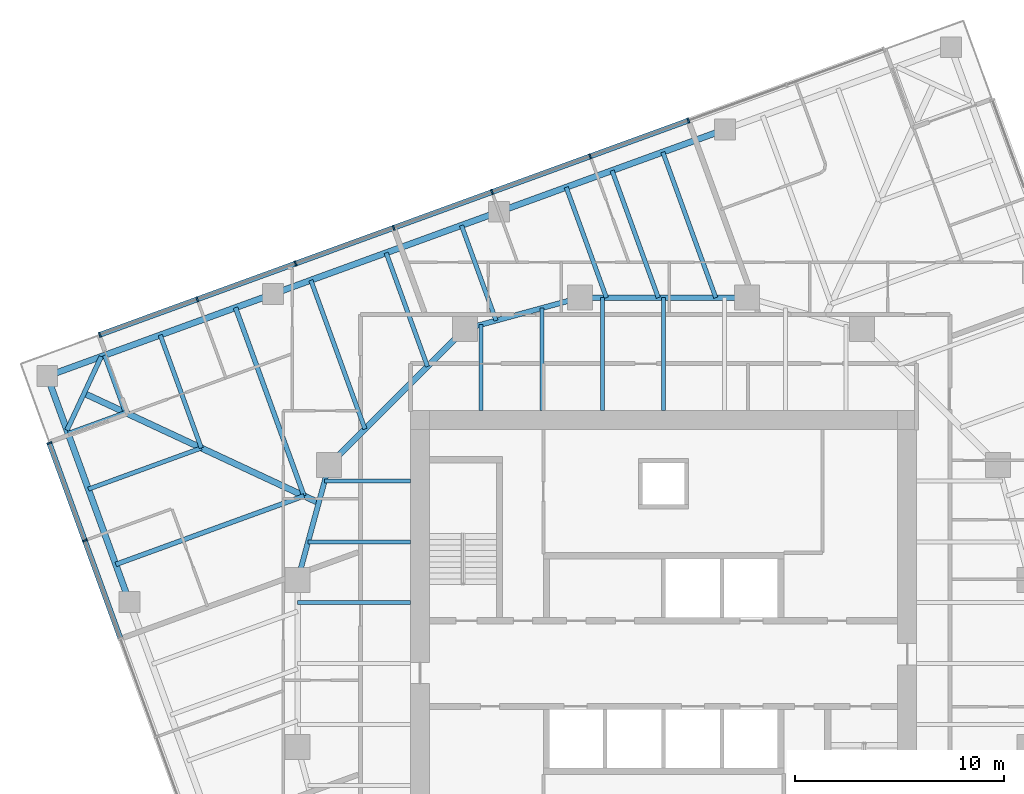
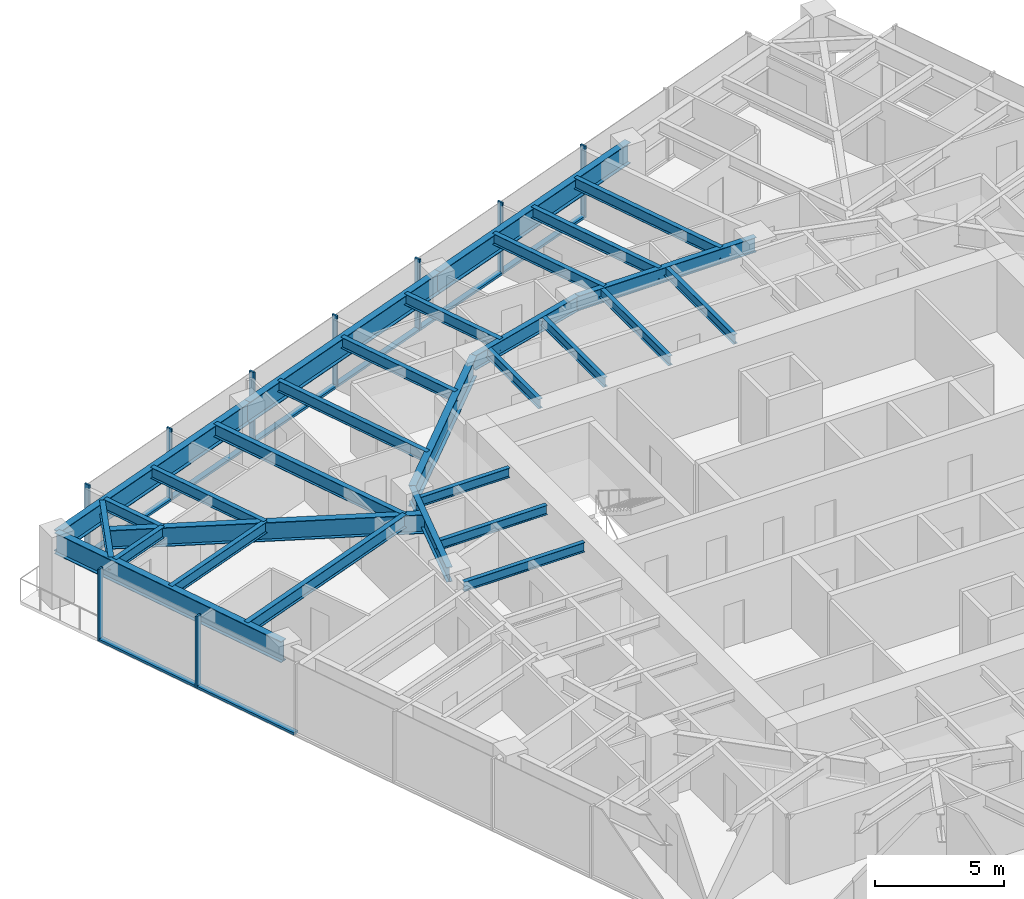
# One storey, part 4 of 13: 29 beams, 17 members, 2 elements without a shape of their own.
"""IFC4 building model written with IfcOpenShell, lengths in metres."""

import ifcopenshell
import ifcopenshell.guid

model = None  # the IFC model being written
_history = None  # IfcOwnerHistory: only IFC2X3 demands one
_inside = {}  # id of a spatial element -> (the spatial element, [elements in it])
_under = {}  # id of a project, library or spatial element -> (it, [spatial elements below it])
_declared = {}  # id of a project -> (the project, [libraries it declares])
_typed = {}  # id of a type object -> (the type object, [elements of that type])
_made_of = {}  # id of a material, layer set ... -> (it, [elements and type objects made of it])


def new_model(schema):
    """Start an empty IFC model of exactly this schema.

    Asked for "IFC4X3", IfcOpenShell would pick the latest addendum, in which some entities
    have other attributes; the version numbers below select the first issue.
    IFC2X3 requires an IfcOwnerHistory on every rooted entity: one is made here for all.
    """
    global model, _history
    if schema == "IFC4X3":
        model = ifcopenshell.file(schema_version=(4, 3, 0, 0))
    else:
        model = ifcopenshell.file(schema=schema)
    _inside.clear()
    _under.clear()
    _declared.clear()
    _typed.clear()
    _made_of.clear()
    _history = None
    if model.schema == "IFC2X3":
        org = make("IfcOrganization", Name="unknown")
        user = make(
            "IfcPersonAndOrganization",
            ThePerson=make("IfcPerson", FamilyName="unknown"),
            TheOrganization=org,
        )
        app = make(
            "IfcApplication",
            ApplicationDeveloper=org,
            Version="unknown",
            ApplicationFullName="unknown",
            ApplicationIdentifier="unknown",
        )
        _history = make(
            "IfcOwnerHistory",
            OwningUser=user,
            OwningApplication=app,
            ChangeAction="ADDED",
            CreationDate=0,
        )
    return model


def make(cls, **values):
    """One entity of the class cls with the attributes given. An attribute that is None is left unset."""
    return model.create_entity(
        cls, **{name: value for name, value in values.items() if value is not None}
    )


def rooted(cls, **values):
    """An entity with a GlobalId (a new one), such as an element, a storey or a relation."""
    return make(cls, GlobalId=ifcopenshell.guid.new(), OwnerHistory=_history, **values)


def si_unit(unit_type, name, prefix=None):
    """IfcSIUnit, for example si_unit("LENGTHUNIT", "METRE", prefix="MILLI")."""
    return make("IfcSIUnit", UnitType=unit_type, Prefix=prefix, Name=name)


def assignment(units):
    """IfcUnitAssignment: the units of a project."""
    return None if units is None else make("IfcUnitAssignment", Units=units)


def point(xyz):
    """IfcCartesianPoint."""
    return None if xyz is None else make("IfcCartesianPoint", Coordinates=xyz)


def direction(xyz):
    """IfcDirection."""
    return None if xyz is None else make("IfcDirection", DirectionRatios=xyz)


def frame(location, z_axis=None, x_axis=None):
    """IfcAxis2Placement3D, a coordinate frame: its origin and axes. An axis left out is left unset."""
    return make(
        "IfcAxis2Placement3D",
        Location=point(location),
        Axis=direction(z_axis),
        RefDirection=direction(x_axis),
    )


def frame_2d(location, x_axis=None):
    """IfcAxis2Placement2D, a coordinate frame in the plane: its origin and x axis."""
    return make(
        "IfcAxis2Placement2D", Location=point(location), RefDirection=direction(x_axis)
    )


def origin():
    """The frame at (0, 0, 0) with its axes left unset."""
    return frame((0.0, 0.0, 0.0))


def origin_2d():
    """The frame at (0, 0) in the plane with its x axis left unset."""
    return frame_2d((0.0, 0.0))


def place(relative_to, where):
    """IfcLocalPlacement: puts the frame where relative to a parent placement (None: the world)."""
    return make(
        "IfcLocalPlacement", PlacementRelTo=relative_to, RelativePlacement=where
    )


def context(
    kind, dimensions, precision=None, world=None, true_north=None, identifier=None
):
    """IfcGeometricRepresentationContext, for example the 3D "Model" context."""
    return make(
        "IfcGeometricRepresentationContext",
        ContextIdentifier=identifier,
        ContextType=kind,
        CoordinateSpaceDimension=dimensions,
        Precision=precision,
        WorldCoordinateSystem=world,
        TrueNorth=true_north,
    )


def subcontext(parent, identifier, kind, view, scale=None):
    """IfcGeometricRepresentationSubContext, for example "Body" below "Model"."""
    return make(
        "IfcGeometricRepresentationSubContext",
        ContextIdentifier=identifier,
        ContextType=kind,
        ParentContext=parent,
        TargetScale=scale,
        TargetView=view,
    )


def project(units=None, contexts=None):
    """IfcProject with its units and contexts."""
    return rooted(
        "IfcProject",
        Name="project",
        RepresentationContexts=contexts,
        UnitsInContext=assignment(units),
    )


def spatial(cls, under=None, at=None, **own):
    """A site, building, storey or space (cls), placed at a placement, below another one or the project."""
    s = rooted(cls, ObjectPlacement=at, **own)
    if under is not None:
        _under.setdefault(under.id(), (under, []))[1].append(s)
    return s


def profile(cls, at=None, kind="AREA", **sizes):
    """A parametric profile (cls). Its sizes go by their IFC names, for example OverallWidth=200.0."""
    return make(cls, ProfileType=kind, Position=at, **sizes)


def rectangle(**sizes):
    """IfcRectangleProfileDef."""
    return profile("IfcRectangleProfileDef", **sizes)


def i_section(**sizes):
    """IfcIShapeProfileDef."""
    return profile("IfcIShapeProfileDef", **sizes)


def extrude(swept, where, along, depth):
    """IfcExtrudedAreaSolid: the profile swept, set in the frame where, extruded along a direction by depth."""
    return make(
        "IfcExtrudedAreaSolid",
        SweptArea=swept,
        Position=where,
        ExtrudedDirection=direction(along),
        Depth=depth,
    )


def shape(context_of_items, identifier, shape_type, items):
    """IfcShapeRepresentation: the items that make up one representation, for example the "Body"."""
    return make(
        "IfcShapeRepresentation",
        ContextOfItems=context_of_items,
        RepresentationIdentifier=identifier,
        RepresentationType=shape_type,
        Items=items,
    )


def material(Name=None, Category=None):
    """IfcMaterial."""
    return make("IfcMaterial", Name=Name, Category=Category)


def material_profile(
    of_material, cross_section, Name=None, Category=None, Priority=None
):
    """IfcMaterialProfile: a cross section and its material."""
    return make(
        "IfcMaterialProfile",
        Name=Name,
        Material=of_material,
        Profile=cross_section,
        Priority=Priority,
        Category=Category,
    )


def profile_set(profiles, Name=None, composite=None):
    """IfcMaterialProfileSet."""
    return make(
        "IfcMaterialProfileSet",
        Name=Name,
        MaterialProfiles=profiles,
        CompositeProfile=composite,
    )


def made_of(thing, what):
    """Note that an element or type object is made of a material, layer set ...; save() writes the relation."""
    if what is not None:
        _made_of.setdefault(what.id(), (what, []))[1].append(thing)
    return thing


def type_object(cls, material=None, **own):
    """A type object (cls), such as IfcWallType, which elements share."""
    return made_of(rooted(cls, **own), material)


def element(
    cls,
    number,
    at=None,
    inside=None,
    cuts=None,
    type_object=None,
    material=None,
    context=None,
    identifier="Body",
    shape_type=None,
    held_by="IfcProductDefinitionShape",
    body=None,
    shapes=None,
    **own,
):
    """One element of the class cls, such as IfcWall. Its Tag is "e" and its number.

    at: its placement. inside: the storey or other place that contains it. cuts: it is an
    opening in that element (IfcRelVoidsElement). A single representation is given by context,
    identifier, shape_type and body (its items); several are given by shapes. held_by: the class
    of the entity that holds the representations. save() writes the other relations.
    """
    e = rooted(cls, Tag="e%d" % number, ObjectPlacement=at, **own)
    if body is not None:
        shapes = [shape(context, identifier, shape_type, body)]
    if shapes is not None:
        e.Representation = make(held_by, Representations=shapes)
    if inside is not None:
        _inside.setdefault(inside.id(), (inside, []))[1].append(e)
    if cuts is not None:
        rooted(
            "IfcRelVoidsElement", RelatingBuildingElement=cuts, RelatedOpeningElement=e
        )
    if type_object is not None:
        _typed.setdefault(type_object.id(), (type_object, []))[1].append(e)
    return made_of(e, material)


def aggregate(whole, parts):
    """IfcRelAggregates: a whole, such as a stair, and the parts it consists of."""
    return rooted("IfcRelAggregates", RelatingObject=whole, RelatedObjects=parts)


def save(model, path):
    """Write the relations noted so far, then the file.

    IfcRelAggregates (storeys below a building ...), IfcRelContainedInSpatialStructure (elements
    in a storey), IfcRelDefinesByType, IfcRelAssociatesMaterial and IfcRelDeclares: one each for
    every whole, place, type object, material and project.
    """
    for whole, parts in _under.values():
        aggregate(whole, parts)
    for where, things in _inside.values():
        rooted(
            "IfcRelContainedInSpatialStructure",
            RelatedElements=things,
            RelatingStructure=where,
        )
    for kind, things in _typed.values():
        rooted("IfcRelDefinesByType", RelatedObjects=things, RelatingType=kind)
    for what, things in _made_of.values():
        rooted("IfcRelAssociatesMaterial", RelatedObjects=things, RelatingMaterial=what)
    for by, libraries in _declared.values():
        rooted("IfcRelDeclares", RelatingContext=by, RelatedDefinitions=libraries)
    model.write(path)


model = new_model("IFC4")

# Units and contexts
model_context = context("Model", 3, precision=1e-05, world=origin(), true_north=direction((0.0, 1.0)))
body_context = subcontext(model_context, "Body", "Model", "MODEL_VIEW")
ifc_project = project(units=[si_unit("LENGTHUNIT", "METRE"), si_unit("AREAUNIT", "SQUARE_METRE"), si_unit("VOLUMEUNIT", "CUBIC_METRE"), si_unit("PLANEANGLEUNIT", "RADIAN"), si_unit("MASSUNIT", "GRAM", prefix="KILO")], contexts=[model_context])

# Site, building, storey
site_placement = place(None, origin())
site = spatial("IfcSite", under=ifc_project, at=site_placement, CompositionType="ELEMENT")
building_placement = place(site_placement, origin())
building = spatial("IfcBuilding", under=site, at=building_placement, Name="Torsade Residences", CompositionType="ELEMENT")
storey_placement = place(building_placement, frame((0.0, 0.0, 164.199951171875)))
storey = spatial("IfcBuildingStorey", under=building, at=storey_placement, Name="L45", CompositionType="ELEMENT", Elevation=164.199951171875)

# Beams
ifc_material_1 = material(Name="Steel grade 300", Category="steel")
ifc_material_profile_1 = material_profile(ifc_material_1, i_section(OverallWidth=0.300048828125, OverallDepth=0.89990234375, WebThickness=0.011962890625, FlangeThickness=0.02490234375, at=origin_2d()), Name="900WB175")
ifc_profile_set_1 = profile_set([ifc_material_profile_1], Name="Steel grade 300")
beam_type_1 = type_object("IfcBeamType", Name="CORNER GIRDER 900WB175", PredefinedType="BEAM", material=ifc_profile_set_1)
beam_1_placement = place(storey_placement, frame((12.282958984375, 42.924560546875, 2.800048828125), z_axis=(0.906308509373, -0.422616712682, 0.0), x_axis=(0.422616712682, 0.906308509373, 0.0)))
element("IfcBeam", 1, at=beam_1_placement, inside=storey, type_object=beam_type_1, Name="Corner girder 13 L46", PredefinedType="BEAM", context=body_context, shape_type="SweptSolid", body=[
    extrude(i_section(OverallWidth=0.300048828125, OverallDepth=0.89990234375, WebThickness=0.011962890625, FlangeThickness=0.02490234375, at=origin_2d()), origin(), (0.0, 0.0, 1.0), 12.3837890625),
])
ifc_material_2 = material(Name="Steel grade 300", Category="steel")
ifc_material_profile_2 = material_profile(ifc_material_2, i_section(OverallWidth=0.22802734375, OverallDepth=0.60205078125, WebThickness=0.010498046875, FlangeThickness=0.014892578125, FilletRadius=0.013916015625, at=origin_2d()), Name="610UB101")
ifc_profile_set_2 = profile_set([ifc_material_profile_2], Name="Steel grade 300")
beam_type_2 = type_object("IfcBeamType", Name="CORNER TRIMMER 610UB101", PredefinedType="BEAM", material=ifc_profile_set_2)
beam_2_placement = place(storey_placement, frame((11.461181640625, 41.162353515625, 2.948974609375), z_axis=(0.422613947806, 0.906309798645, 0.0), x_axis=(-0.906309798645, 0.422613947806, 0.0)))
element("IfcBeam", 2, at=beam_2_placement, inside=storey, type_object=beam_type_2, Name="Corner trimmer 13 L46", PredefinedType="BEAM", context=body_context, shape_type="SweptSolid", body=[
    extrude(i_section(OverallWidth=0.22802734375, OverallDepth=0.60205078125, WebThickness=0.010498046875, FlangeThickness=0.014892578125, FilletRadius=0.013916015625, at=origin_2d()), origin(), (0.0, 0.0, 1.0), 3.888916015625),
])
ifc_material_3 = material(Name="Steel grade 300", Category="steel")
ifc_material_profile_3 = material_profile(ifc_material_3, i_section(OverallWidth=0.300048828125, OverallDepth=1.0, WebThickness=0.01611328125, FlangeThickness=0.028076171875, at=origin_2d()), Name="1000WB215")
ifc_profile_set_3 = profile_set([ifc_material_profile_3], Name="Steel grade 300")
beam_type_3 = type_object("IfcBeamType", Name="EDGE BEAM 1000WB215", PredefinedType="SPANDREL", material=ifc_profile_set_3)
for number, where, z_axis, x_axis, name in (
    (3, (42.93994140625, 55.546142578125, 2.75), (-0.939695448801, -0.342012373318, 0.0), (0.342012373318, -0.939695448801, 0.0), "Edge beam 10 L46"),
    (4, (32.133544921875, 51.613037109375, 2.75), (-0.939688625666, -0.342031119628, 0.0), (0.342031119628, -0.939688625666, 0.0), "Edge beam 11 L46"),
    (5, (21.3271484375, 47.6796875, 2.75), (-0.939697932031, -0.342005550448, 0.0), (0.342005550448, -0.939697932031, 0.0), "Edge beam 12 L46"),
):
    element("IfcBeam", number, at=place(storey_placement, frame(where, z_axis=z_axis, x_axis=x_axis)), inside=storey, type_object=beam_type_3, Name=name, PredefinedType="SPANDREL", context=body_context, shape_type="SweptSolid", body=[
        extrude(i_section(OverallWidth=0.300048828125, OverallDepth=1.0, WebThickness=0.01611328125, FlangeThickness=0.028076171875, at=origin_2d()), origin(), (0.0, 0.0, 1.0), 11.5),
    ])
beam_3_placement = place(storey_placement, frame((10.5205078125, 43.74658203125, 2.75), z_axis=(0.342024296483, -0.93969110915, 0.0), x_axis=(0.93969110915, 0.342024296483, 0.0)))
element("IfcBeam", 6, at=beam_3_placement, inside=storey, type_object=beam_type_3, Name="Edge beam 13 L46", PredefinedType="SPANDREL", context=body_context, shape_type="SweptSolid", body=[
    extrude(i_section(OverallWidth=0.300048828125, OverallDepth=1.0, WebThickness=0.01611328125, FlangeThickness=0.028076171875, at=origin_2d()), origin(), (0.0, 0.0, 1.0), 11.500244140625),
])
ifc_material_4 = material(Name="Steel grade 300", Category="steel")
ifc_material_profile_4 = material_profile(ifc_material_4, i_section(OverallWidth=0.18994140625, OverallDepth=0.4541015625, WebThickness=0.008544921875, FlangeThickness=0.0126953125, FilletRadius=0.011474609375, at=origin_2d()), Name="460UB67.1")
ifc_profile_set_4 = profile_set([ifc_material_profile_4], Name="Steel grade 300")
beam_type_4 = type_object("IfcBeamType", Name="INNER FLOOR BEAM 460UB67.1", PredefinedType="JOIST", material=ifc_profile_set_4)
beam_4_placement = place(storey_placement, frame((31.262451171875, 42.10009765625, 3.02294921875), z_axis=(0.0, 1.0, 0.0), x_axis=(-1.0, 0.0, 0.0)))
element("IfcBeam", 7, at=beam_4_placement, inside=storey, type_object=beam_type_4, Name="Inner floor beam IN01 L46", PredefinedType="JOIST", context=body_context, shape_type="SweptSolid", body=[
    extrude(i_section(OverallWidth=0.18994140625, OverallDepth=0.4541015625, WebThickness=0.008544921875, FlangeThickness=0.0126953125, FilletRadius=0.011474609375, at=origin_2d()), origin(), (0.0, 0.0, 1.0), 4.10791015625),
])
beam_5_placement = place(storey_placement, frame((34.175048828125, 42.10009765625, 3.02294921875), z_axis=(0.0, 1.0, 0.0), x_axis=(-1.0, 0.0, 0.0)))
element("IfcBeam", 8, at=beam_5_placement, inside=storey, type_object=beam_type_4, Name="Inner floor beam IN02 L46", PredefinedType="JOIST", context=body_context, shape_type="SweptSolid", body=[
    extrude(i_section(OverallWidth=0.18994140625, OverallDepth=0.4541015625, WebThickness=0.008544921875, FlangeThickness=0.0126953125, FilletRadius=0.011474609375, at=origin_2d()), origin(), (0.0, 0.0, 1.0), 4.902099609375),
])
for number, where, z_axis, x_axis, name in (
    (9, (37.08740234375, 42.10009765625, 3.02294921875), (0.0, 1.0, 0.0), (-1.0, 0.0, 0.0), "Inner floor beam IN03 L46"),
    (10, (40.0, 42.10009765625, 3.02294921875), (0.0, 1.0, 0.0), (-1.0, 0.0, 0.0), "Inner floor beam IN04 L46"),
):
    element("IfcBeam", number, at=place(storey_placement, frame(where, z_axis=z_axis, x_axis=x_axis)), inside=storey, type_object=beam_type_4, Name=name, PredefinedType="JOIST", context=body_context, shape_type="SweptSolid", body=[
        extrude(i_section(OverallWidth=0.18994140625, OverallDepth=0.4541015625, WebThickness=0.008544921875, FlangeThickness=0.0126953125, FilletRadius=0.011474609375, at=origin_2d()), origin(), (0.0, 0.0, 1.0), 5.39990234375),
    ])
beam_6_placement = place(storey_placement, frame((27.89990234375, 38.737548828125, 3.02294921875), z_axis=(-1.0, 0.0, 0.0), x_axis=(0.0, -1.0, 0.0)))
element("IfcBeam", 11, at=beam_6_placement, inside=storey, type_object=beam_type_4, Name="Inner floor beam IW01 L46", PredefinedType="JOIST", context=body_context, shape_type="SweptSolid", body=[
    extrude(i_section(OverallWidth=0.18994140625, OverallDepth=0.4541015625, WebThickness=0.008544921875, FlangeThickness=0.0126953125, FilletRadius=0.011474609375, at=origin_2d()), origin(), (0.0, 0.0, 1.0), 4.10791015625),
])
beam_7_placement = place(storey_placement, frame((27.89990234375, 35.824951171875, 3.02294921875), z_axis=(-1.0, 0.0, 0.0), x_axis=(0.0, -1.0, 0.0)))
element("IfcBeam", 12, at=beam_7_placement, inside=storey, type_object=beam_type_4, Name="Inner floor beam IW02 L46", PredefinedType="JOIST", context=body_context, shape_type="SweptSolid", body=[
    extrude(i_section(OverallWidth=0.18994140625, OverallDepth=0.4541015625, WebThickness=0.008544921875, FlangeThickness=0.0126953125, FilletRadius=0.011474609375, at=origin_2d()), origin(), (0.0, 0.0, 1.0), 4.902099609375),
])
beam_8_placement = place(storey_placement, frame((27.89990234375, 32.91259765625, 3.02294921875), z_axis=(-1.0, 0.0, 0.0), x_axis=(0.0, -1.0, 0.0)))
element("IfcBeam", 13, at=beam_8_placement, inside=storey, type_object=beam_type_4, Name="Inner floor beam IW03 L46", PredefinedType="JOIST", context=body_context, shape_type="SweptSolid", body=[
    extrude(i_section(OverallWidth=0.18994140625, OverallDepth=0.4541015625, WebThickness=0.008544921875, FlangeThickness=0.0126953125, FilletRadius=0.011474609375, at=origin_2d()), origin(), (0.0, 0.0, 1.0), 5.39990234375),
])

# Curtain wall, members
ifc_material_5 = material(Name="Aluminium and glass", Category="aluminium")
curtain_wall_type = type_object("IfcCurtainWallType", Name="FRITTED GLASS CURTAIN WALL MID ZONE", PredefinedType="NOTDEFINED", material=ifc_material_5)
curtain_wall_1_placement = place(storey_placement, origin())
curtain_wall_1 = element("IfcCurtainWall", 14, at=curtain_wall_1_placement, inside=storey, type_object=curtain_wall_type, Name="Curtain wall L45 face 7", PredefinedType="NOTDEFINED")
ifc_material_6 = material(Name="Aluminium mullion", Category="aluminium")
ifc_material_profile_5 = material_profile(ifc_material_6, rectangle(XDim=0.25, YDim=0.080078125, at=origin_2d()), Name="MID ZONE CURTAIN WALL MULLION 250x80")
ifc_profile_set_5 = profile_set([ifc_material_profile_5], Name="Aluminium mullion")
member_type_1 = type_object("IfcMemberType", Name="MID ZONE CURTAIN WALL MULLION 250x80", PredefinedType="MULLION", material=ifc_profile_set_5)
member_1_placement = place(storey_placement, frame((41.1884765625, 55.972900390625, 0.0), z_axis=(0.0, 0.0, 1.0), x_axis=(0.342020147869, -0.939692619132, 0.0)))
member_1 = element("IfcMember", 15, at=member_1_placement, type_object=member_type_1, Name="Mullion 3", PredefinedType="MULLION", context=body_context, shape_type="SweptSolid", body=[
    extrude(rectangle(XDim=0.25, YDim=0.080078125, at=origin_2d()), origin(), (0.0, 0.0, 1.0), 3.400146484375),
])
member_2_placement = place(storey_placement, frame((36.489990234375, 54.2626953125, 0.0), z_axis=(0.0, 0.0, 1.0), x_axis=(0.342020147869, -0.939692619132, 0.0)))
member_2 = element("IfcMember", 16, at=member_2_placement, type_object=member_type_1, Name="Mullion 4", PredefinedType="MULLION", context=body_context, shape_type="SweptSolid", body=[
    extrude(rectangle(XDim=0.25, YDim=0.080078125, at=origin_2d()), origin(), (0.0, 0.0, 1.0), 3.400146484375),
])
member_3_placement = place(storey_placement, frame((31.79150390625, 52.552734375, 0.0), z_axis=(0.0, 0.0, 1.0), x_axis=(0.342020147869, -0.939692619132, 0.0)))
member_3 = element("IfcMember", 17, at=member_3_placement, type_object=member_type_1, Name="Mullion 5", PredefinedType="MULLION", context=body_context, shape_type="SweptSolid", body=[
    extrude(rectangle(XDim=0.25, YDim=0.080078125, at=origin_2d()), origin(), (0.0, 0.0, 1.0), 3.400146484375),
])
member_4_placement = place(storey_placement, frame((27.093017578125, 50.842529296875, 0.0), z_axis=(0.0, 0.0, 1.0), x_axis=(0.342020147869, -0.939692619132, 0.0)))
member_4 = element("IfcMember", 18, at=member_4_placement, type_object=member_type_1, Name="Mullion 6", PredefinedType="MULLION", context=body_context, shape_type="SweptSolid", body=[
    extrude(rectangle(XDim=0.25, YDim=0.080078125, at=origin_2d()), origin(), (0.0, 0.0, 1.0), 3.400146484375),
])
member_5_placement = place(storey_placement, frame((22.39453125, 49.13232421875, 0.0), z_axis=(0.0, 0.0, 1.0), x_axis=(0.342020147869, -0.939692619132, 0.0)))
member_5 = element("IfcMember", 19, at=member_5_placement, type_object=member_type_1, Name="Mullion 7", PredefinedType="MULLION", context=body_context, shape_type="SweptSolid", body=[
    extrude(rectangle(XDim=0.25, YDim=0.080078125, at=origin_2d()), origin(), (0.0, 0.0, 1.0), 3.400146484375),
])
member_6_placement = place(storey_placement, frame((17.696044921875, 47.42236328125, 0.0), z_axis=(0.0, 0.0, 1.0), x_axis=(0.342020147869, -0.939692619132, 0.0)))
member_6 = element("IfcMember", 20, at=member_6_placement, type_object=member_type_1, Name="Mullion 8", PredefinedType="MULLION", context=body_context, shape_type="SweptSolid", body=[
    extrude(rectangle(XDim=0.25, YDim=0.080078125, at=origin_2d()), origin(), (0.0, 0.0, 1.0), 3.400146484375),
])
member_7_placement = place(storey_placement, frame((13.03515625, 45.725830078125, 0.0), z_axis=(0.0, 0.0, 1.0), x_axis=(0.342020147869, -0.939692619132, 0.0)))
member_7 = element("IfcMember", 21, at=member_7_placement, type_object=member_type_1, Name="Mullion 9", PredefinedType="MULLION", context=body_context, shape_type="SweptSolid", body=[
    extrude(rectangle(XDim=0.25, YDim=0.080078125, at=origin_2d()), origin(), (0.0, 0.0, 1.0), 3.400146484375),
])

curtain_wall_2_placement = place(storey_placement, origin())
curtain_wall_2 = element("IfcCurtainWall", 22, at=curtain_wall_2_placement, inside=storey, type_object=curtain_wall_type, Name="Curtain wall L45 face 10", PredefinedType="NOTDEFINED")
member_8_placement = place(storey_placement, frame((10.62060546875, 40.5478515625, 0.0), z_axis=(0.0, 0.0, 1.0), x_axis=(0.939692619132, 0.342020147869, 0.0)))
member_8 = element("IfcMember", 23, at=member_8_placement, type_object=member_type_1, Name="Mullion 1", PredefinedType="MULLION", context=body_context, shape_type="SweptSolid", body=[
    extrude(rectangle(XDim=0.25, YDim=0.080078125, at=origin_2d()), origin(), (0.0, 0.0, 1.0), 3.400146484375),
])
member_9_placement = place(storey_placement, frame((12.317138671875, 35.886962890625, 0.0), z_axis=(0.0, 0.0, 1.0), x_axis=(0.939692619132, 0.342020147869, 0.0)))
member_9 = element("IfcMember", 24, at=member_9_placement, type_object=member_type_1, Name="Mullion 2", PredefinedType="MULLION", context=body_context, shape_type="SweptSolid", body=[
    extrude(rectangle(XDim=0.25, YDim=0.080078125, at=origin_2d()), origin(), (0.0, 0.0, 1.0), 3.400146484375),
])

# Member
ifc_material_7 = material(Name="Aluminium transom", Category="aluminium")
ifc_material_profile_6 = material_profile(ifc_material_7, rectangle(XDim=0.25, YDim=0.110107421875, at=origin_2d()), Name="MID ZONE CURTAIN WALL TRANSOM 250x110")
ifc_profile_set_6 = profile_set([ifc_material_profile_6], Name="Aluminium transom")
member_type_2 = type_object("IfcMemberType", Name="MID ZONE CURTAIN WALL TRANSOM 250x110", PredefinedType="USERDEFINED", material=ifc_profile_set_6)
member_10_placement = place(storey_placement, frame((41.15087890625, 55.959228515625, 0.054931640625), z_axis=(-0.93968471549, -0.342041862168, 0.0), x_axis=(0.342041862168, -0.93968471549, 0.0)))
member_10 = element("IfcMember", 25, at=member_10_placement, type_object=member_type_2, Name="Transom 3.1", ObjectType="TRANSOM", PredefinedType="USERDEFINED", context=body_context, shape_type="SweptSolid", body=[
    extrude(rectangle(XDim=0.25, YDim=0.110107421875, at=origin_2d()), origin(), (0.0, 0.0, 1.0), 4.920166015625),
])

member_11_placement = place(storey_placement, frame((36.452392578125, 54.2490234375, 0.054931640625), z_axis=(-0.9397006637, -0.341998044792, 0.0), x_axis=(0.341998044792, -0.9397006637, 0.0)))
member_11 = element("IfcMember", 26, at=member_11_placement, type_object=member_type_2, Name="Transom 4.1", ObjectType="TRANSOM", PredefinedType="USERDEFINED", context=body_context, shape_type="SweptSolid", body=[
    extrude(rectangle(XDim=0.25, YDim=0.110107421875, at=origin_2d()), origin(), (0.0, 0.0, 1.0), 4.919921875),
])

member_12_placement = place(storey_placement, frame((31.75390625, 52.5390625, 0.054931640625), z_axis=(-0.93968471549, -0.342041862168, 0.0), x_axis=(0.342041862168, -0.93968471549, 0.0)))
member_12 = element("IfcMember", 27, at=member_12_placement, type_object=member_type_2, Name="Transom 5.1", ObjectType="TRANSOM", PredefinedType="USERDEFINED", context=body_context, shape_type="SweptSolid", body=[
    extrude(rectangle(XDim=0.25, YDim=0.110107421875, at=origin_2d()), origin(), (0.0, 0.0, 1.0), 4.920166015625),
])

member_13_placement = place(storey_placement, frame((27.055419921875, 50.828857421875, 0.054931640625), z_axis=(-0.93968471549, -0.342041862168, 0.0), x_axis=(0.342041862168, -0.93968471549, 0.0)))
member_13 = element("IfcMember", 28, at=member_13_placement, type_object=member_type_2, Name="Transom 6.1", ObjectType="TRANSOM", PredefinedType="USERDEFINED", context=body_context, shape_type="SweptSolid", body=[
    extrude(rectangle(XDim=0.25, YDim=0.110107421875, at=origin_2d()), origin(), (0.0, 0.0, 1.0), 4.920166015625),
])

member_14_placement = place(storey_placement, frame((22.35693359375, 49.11865234375, 0.054931640625), z_axis=(-0.9397006637, -0.341998044792, 0.0), x_axis=(0.341998044792, -0.9397006637, 0.0)))
member_14 = element("IfcMember", 29, at=member_14_placement, type_object=member_type_2, Name="Transom 7.1", ObjectType="TRANSOM", PredefinedType="USERDEFINED", context=body_context, shape_type="SweptSolid", body=[
    extrude(rectangle(XDim=0.25, YDim=0.110107421875, at=origin_2d()), origin(), (0.0, 0.0, 1.0), 4.919921875),
])

member_15_placement = place(storey_placement, frame((17.658447265625, 47.40869140625, 0.054931640625), z_axis=(-0.939683823915, -0.342044311564, 0.0), x_axis=(0.342044311564, -0.939683823915, 0.0)))
member_15 = element("IfcMember", 30, at=member_15_placement, type_object=member_type_2, Name="Transom 8.1", ObjectType="TRANSOM", PredefinedType="USERDEFINED", context=body_context, shape_type="SweptSolid", body=[
    extrude(rectangle(XDim=0.25, YDim=0.110107421875, at=origin_2d()), origin(), (0.0, 0.0, 1.0), 4.880126953125),
])

aggregate(curtain_wall_1, [member_1, member_2, member_3, member_4, member_5, member_6, member_7, member_10, member_11, member_12, member_13, member_14, member_15])

member_16_placement = place(storey_placement, frame((10.63427734375, 40.51025390625, 0.054931640625), z_axis=(0.342044311564, -0.939683823915, 0.0), x_axis=(0.939683823915, 0.342044311564, 0.0)))
member_16 = element("IfcMember", 31, at=member_16_placement, type_object=member_type_2, Name="Transom 1.1", ObjectType="TRANSOM", PredefinedType="USERDEFINED", context=body_context, shape_type="SweptSolid", body=[
    extrude(rectangle(XDim=0.25, YDim=0.110107421875, at=origin_2d()), origin(), (0.0, 0.0, 1.0), 4.880126953125),
])

member_17_placement = place(storey_placement, frame((12.330810546875, 35.849365234375, 0.054931640625), z_axis=(0.341998044792, -0.9397006637, 0.0), x_axis=(0.9397006637, 0.341998044792, 0.0)))
member_17 = element("IfcMember", 32, at=member_17_placement, type_object=member_type_2, Name="Transom 2.1", ObjectType="TRANSOM", PredefinedType="USERDEFINED", context=body_context, shape_type="SweptSolid", body=[
    extrude(rectangle(XDim=0.25, YDim=0.110107421875, at=origin_2d()), origin(), (0.0, 0.0, 1.0), 4.919921875),
])

aggregate(curtain_wall_2, [member_8, member_9, member_16, member_17])

# Beams
ifc_material_8 = material(Name="Steel grade 300", Category="steel")
ifc_material_profile_7 = material_profile(ifc_material_8, i_section(OverallWidth=0.300048828125, OverallDepth=1.0, WebThickness=0.01611328125, FlangeThickness=0.028076171875, at=origin_2d()), Name="1000WB215")
ifc_profile_set_7 = profile_set([ifc_material_profile_7], Name="Steel grade 300")
beam_type_5 = type_object("IfcBeamType", Name="RING CORNER GIRDER 1000WB215", PredefinedType="BEAM", material=ifc_profile_set_7)
beam_9_placement = place(storey_placement, frame((30.5, 46.0, 2.75), z_axis=(-0.707106781187, -0.707106781187, 0.0), x_axis=(0.707106781187, -0.707106781187, 0.0)))
element("IfcBeam", 33, at=beam_9_placement, inside=storey, type_object=beam_type_5, Name="Ring girder IR07 L46", PredefinedType="BEAM", context=body_context, shape_type="SweptSolid", body=[
    extrude(i_section(OverallWidth=0.300048828125, OverallDepth=1.0, WebThickness=0.01611328125, FlangeThickness=0.028076171875, at=origin_2d()), origin(), (0.0, 0.0, 1.0), 9.1923828125),
])
ifc_material_9 = material(Name="Steel grade 300", Category="steel")
ifc_material_profile_8 = material_profile(ifc_material_9, i_section(OverallWidth=0.25, OverallDepth=0.699951171875, WebThickness=0.010009765625, FlangeThickness=0.02001953125, at=origin_2d()), Name="700WB130")
ifc_profile_set_8 = profile_set([ifc_material_profile_8], Name="Steel grade 300")
beam_type_6 = type_object("IfcBeamType", Name="RING GIRDER 700WB130", PredefinedType="BEAM", material=ifc_profile_set_8)
beam_10_placement = place(storey_placement, frame((44.0, 47.5, 2.900146484375), z_axis=(-1.0, 0.0, 0.0), x_axis=(0.0, -1.0, 0.0)))
element("IfcBeam", 34, at=beam_10_placement, inside=storey, type_object=beam_type_6, Name="Ring girder IR05 L46", PredefinedType="BEAM", context=body_context, shape_type="SweptSolid", body=[
    extrude(i_section(OverallWidth=0.25, OverallDepth=0.699951171875, WebThickness=0.010009765625, FlangeThickness=0.02001953125, at=origin_2d()), origin(), (0.0, 0.0, 1.0), 8.0),
])
for number, where, z_axis, x_axis, name in (
    (35, (36.0, 47.5, 2.900146484375), (-0.964763821238, -0.263117405792, 0.0), (0.263117405792, -0.964763821238, 0.0), "Ring girder IR06 L46"),
    (36, (24.0, 39.5, 2.900146484375), (-0.263117405792, -0.964763821238, 0.0), (0.964763821238, -0.263117405792, 0.0), "Ring girder IR08 L46"),
):
    element("IfcBeam", number, at=place(storey_placement, frame(where, z_axis=z_axis, x_axis=x_axis)), inside=storey, type_object=beam_type_6, Name=name, PredefinedType="BEAM", context=body_context, shape_type="SweptSolid", body=[
        extrude(i_section(OverallWidth=0.25, OverallDepth=0.699951171875, WebThickness=0.010009765625, FlangeThickness=0.02001953125, at=origin_2d()), origin(), (0.0, 0.0, 1.0), 5.700927734375),
    ])
ifc_material_10 = material(Name="Steel grade 300", Category="steel")
ifc_material_profile_9 = material_profile(ifc_material_10, i_section(OverallWidth=0.208984375, OverallDepth=0.528076171875, WebThickness=0.009521484375, FlangeThickness=0.01318359375, FilletRadius=0.013916015625, at=origin_2d()), Name="530UB82.0")
ifc_profile_set_9 = profile_set([ifc_material_profile_9], Name="Steel grade 300")
beam_type_7 = type_object("IfcBeamType", Name="SECONDARY BEAM 530UB82.0", PredefinedType="JOIST", material=ifc_profile_set_9)
beam_11_placement = place(storey_placement, frame((39.96435546875, 54.463134765625, 2.986083984375), z_axis=(0.342026105929, -0.939690450554, 0.0), x_axis=(0.939690450554, 0.342026105929, 0.0)))
element("IfcBeam", 37, at=beam_11_placement, inside=storey, type_object=beam_type_7, Name="Floor beam FN04 L46", PredefinedType="JOIST", context=body_context, shape_type="SweptSolid", body=[
    extrude(i_section(OverallWidth=0.208984375, OverallDepth=0.528076171875, WebThickness=0.009521484375, FlangeThickness=0.01318359375, FilletRadius=0.013916015625, at=origin_2d()), origin(), (0.0, 0.0, 1.0), 7.409912109375),
])
beam_12_placement = place(storey_placement, frame((37.536865234375, 53.57958984375, 2.986083984375), z_axis=(0.342000590983, -0.939699737026, 0.0), x_axis=(0.939699737026, 0.342000590983, 0.0)))
element("IfcBeam", 38, at=beam_12_placement, inside=storey, type_object=beam_type_7, Name="Floor beam FN05 L46", PredefinedType="JOIST", context=body_context, shape_type="SweptSolid", body=[
    extrude(i_section(OverallWidth=0.208984375, OverallDepth=0.528076171875, WebThickness=0.009521484375, FlangeThickness=0.01318359375, FilletRadius=0.013916015625, at=origin_2d()), origin(), (0.0, 0.0, 1.0), 6.4697265625),
])
beam_13_placement = place(storey_placement, frame((35.34423828125, 52.781494140625, 2.986083984375), z_axis=(0.341990681925, -0.939703343336, 0.0), x_axis=(0.939703343336, 0.341990681925, 0.0)))
element("IfcBeam", 39, at=beam_13_placement, inside=storey, type_object=beam_type_7, Name="Floor beam FN06 L46", PredefinedType="JOIST", context=body_context, shape_type="SweptSolid", body=[
    extrude(i_section(OverallWidth=0.208984375, OverallDepth=0.528076171875, WebThickness=0.009521484375, FlangeThickness=0.01318359375, FilletRadius=0.013916015625, at=origin_2d()), origin(), (0.0, 0.0, 1.0), 5.620361328125),
])
beam_14_placement = place(storey_placement, frame((30.33251953125, 50.957275390625, 2.986083984375), z_axis=(0.342014218604, -0.939694777187, 0.0), x_axis=(0.939694777187, 0.342014218604, 0.0)))
element("IfcBeam", 40, at=beam_14_placement, inside=storey, type_object=beam_type_7, Name="Floor beam FN07 L46", PredefinedType="JOIST", context=body_context, shape_type="SweptSolid", body=[
    extrude(i_section(OverallWidth=0.208984375, OverallDepth=0.528076171875, WebThickness=0.009521484375, FlangeThickness=0.01318359375, FilletRadius=0.013916015625, at=origin_2d()), origin(), (0.0, 0.0, 1.0), 4.84326171875),
])
beam_15_placement = place(storey_placement, frame((26.730224609375, 49.646240234375, 2.986083984375), z_axis=(0.342034409239, -0.939687428295, 0.0), x_axis=(0.939687428295, 0.342034409239, 0.0)))
element("IfcBeam", 41, at=beam_15_placement, inside=storey, type_object=beam_type_7, Name="Floor beam FN08 L46", PredefinedType="JOIST", context=body_context, shape_type="SweptSolid", body=[
    extrude(i_section(OverallWidth=0.208984375, OverallDepth=0.528076171875, WebThickness=0.009521484375, FlangeThickness=0.01318359375, FilletRadius=0.013916015625, at=origin_2d()), origin(), (0.0, 0.0, 1.0), 5.785888671875),
])
beam_16_placement = place(storey_placement, frame((23.128173828125, 48.335205078125, 2.986083984375), z_axis=(0.342027762686, -0.939689847531, 0.0), x_axis=(0.939689847531, 0.342027762686, 0.0)))
element("IfcBeam", 42, at=beam_16_placement, inside=storey, type_object=beam_type_7, Name="Floor beam FN09 L46", PredefinedType="JOIST", context=body_context, shape_type="SweptSolid", body=[
    extrude(i_section(OverallWidth=0.208984375, OverallDepth=0.528076171875, WebThickness=0.009521484375, FlangeThickness=0.01318359375, FilletRadius=0.013916015625, at=origin_2d()), origin(), (0.0, 0.0, 1.0), 7.573486328125),
])
beam_17_placement = place(storey_placement, frame((15.923828125, 45.713134765625, 2.986083984375), z_axis=(0.342005550448, -0.939697932031, 0.0), x_axis=(0.939697932031, 0.342005550448, 0.0)))
element("IfcBeam", 43, at=beam_17_placement, inside=storey, type_object=beam_type_7, Name="Floor beam FN11 L46", PredefinedType="JOIST", context=body_context, shape_type="SweptSolid", body=[
    extrude(i_section(OverallWidth=0.208984375, OverallDepth=0.528076171875, WebThickness=0.009521484375, FlangeThickness=0.01318359375, FilletRadius=0.013916015625, at=origin_2d()), origin(), (0.0, 0.0, 1.0), 5.75),
])
for number, where, z_axis, x_axis, name in (
    (44, (13.261474609375, 44.744140625, 2.986083984375), (0.341998427281, -0.939700524495, 0.0), (0.939700524495, 0.341998427281, 0.0), "Floor beam FN12 L46"),
    (45, (11.51806640625, 41.005615234375, 2.986083984375), (0.939700524495, 0.341998427281, 0.0), (-0.341998427281, 0.939700524495, 0.0), "Floor beam FW01 L46"),
):
    element("IfcBeam", number, at=place(storey_placement, frame(where, z_axis=z_axis, x_axis=x_axis)), inside=storey, type_object=beam_type_7, Name=name, PredefinedType="JOIST", context=body_context, shape_type="SweptSolid", body=[
        extrude(i_section(OverallWidth=0.208984375, OverallDepth=0.528076171875, WebThickness=0.009521484375, FlangeThickness=0.01318359375, FilletRadius=0.013916015625, at=origin_2d()), origin(), (0.0, 0.0, 1.0), 2.916748046875),
    ])
beam_18_placement = place(storey_placement, frame((12.4873046875, 38.34326171875, 2.986083984375), z_axis=(0.939692965423, 0.342019196443, 0.0), x_axis=(-0.342019196443, 0.939692965423, 0.0)))
element("IfcBeam", 46, at=beam_18_placement, inside=storey, type_object=beam_type_7, Name="Floor beam FW02 L46", PredefinedType="JOIST", context=body_context, shape_type="SweptSolid", body=[
    extrude(i_section(OverallWidth=0.208984375, OverallDepth=0.528076171875, WebThickness=0.009521484375, FlangeThickness=0.01318359375, FilletRadius=0.013916015625, at=origin_2d()), origin(), (0.0, 0.0, 1.0), 5.749755859375),
])
ifc_material_11 = material(Name="Steel grade 300", Category="steel")
ifc_material_profile_10 = material_profile(ifc_material_11, i_section(OverallWidth=0.22900390625, OverallDepth=0.612060546875, WebThickness=0.011962890625, FlangeThickness=0.01953125, FilletRadius=0.013916015625, at=origin_2d()), Name="610UB125")
ifc_profile_set_10 = profile_set([ifc_material_profile_10], Name="Steel grade 300")
beam_type_8 = type_object("IfcBeamType", Name="SECONDARY BEAM 610UB125", PredefinedType="JOIST", material=ifc_profile_set_10)
for number, where, z_axis, x_axis, name in (
    (47, (19.52587890625, 47.024169921875, 2.944091796875), (0.342033504181, -0.939687757725, 0.0), (0.939687757725, 0.342033504181, 0.0), "Floor beam FN10 L46"),
    (48, (13.79833984375, 34.740966796875, 2.944091796875), (0.939687757725, 0.342033504181, 0.0), (-0.342033504181, 0.939687757725, 0.0), "Floor beam FW03 L46"),
):
    element("IfcBeam", number, at=place(storey_placement, frame(where, z_axis=z_axis, x_axis=x_axis)), inside=storey, type_object=beam_type_8, Name=name, PredefinedType="JOIST", context=body_context, shape_type="SweptSolid", body=[
        extrude(i_section(OverallWidth=0.22900390625, OverallDepth=0.612060546875, WebThickness=0.011962890625, FlangeThickness=0.01953125, FilletRadius=0.013916015625, at=origin_2d()), origin(), (0.0, 0.0, 1.0), 9.583251953125),
    ])

save(model, "model.ifc")
